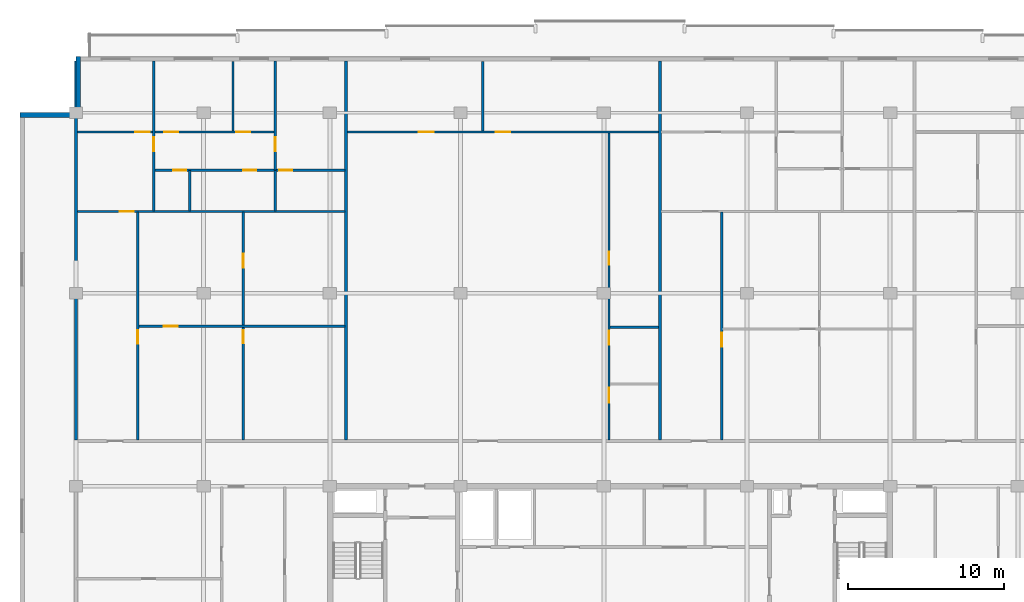
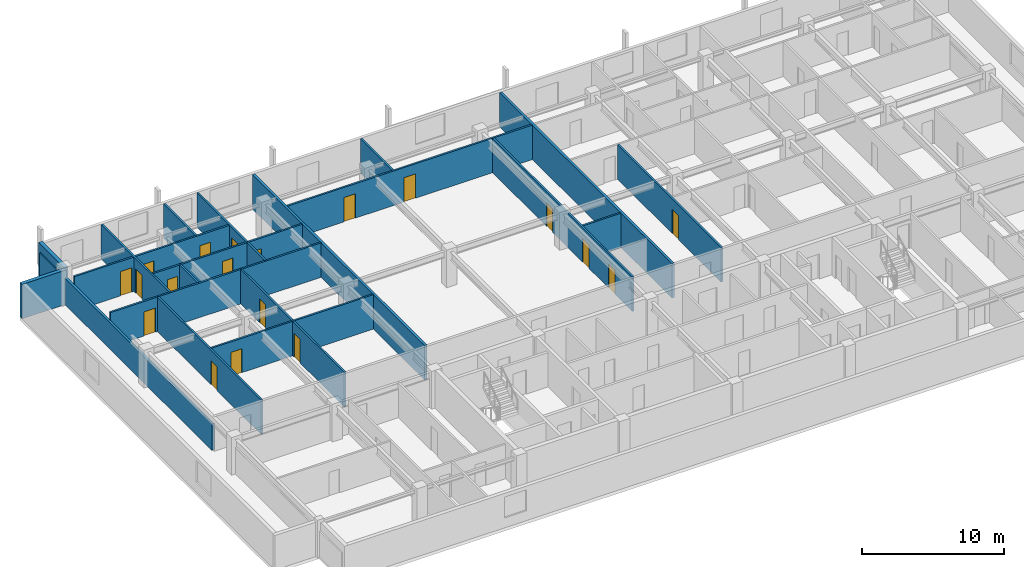
# One storey, part 7 of 11: 21 walls, 19 doors, 19 openings.
"""IFC4 building model written with IfcOpenShell, lengths in metres."""

from ifc_helpers import new_model, si_unit, direction, frame, frame_2d, origin, place, context, subcontext, project, spatial, rectangle, extrude, material, layer, layer_set, type_object, element, fill, save


model = new_model("IFC4")

# Units and contexts
model_context = context("Model", 3, precision=1e-05, world=origin(), true_north=direction((0.0, 1.0)))
body_context = subcontext(model_context, "Body", "Model", "MODEL_VIEW")
ifc_project = project(units=[si_unit("LENGTHUNIT", "METRE"), si_unit("AREAUNIT", "SQUARE_METRE"), si_unit("VOLUMEUNIT", "CUBIC_METRE"), si_unit("PLANEANGLEUNIT", "RADIAN"), si_unit("MASSUNIT", "GRAM", prefix="KILO")], contexts=[model_context])

# Site, building, storey
site_placement = place(None, origin())
site = spatial("IfcSite", under=ifc_project, at=site_placement, CompositionType="ELEMENT")
building_placement = place(site_placement, origin())
building = spatial("IfcBuilding", under=site, at=building_placement, Name="Korimba Cascade Residences", CompositionType="ELEMENT")
storey_placement = place(building_placement, frame((0.0, 0.0, 217.35009765625)))
storey = spatial("IfcBuildingStorey", under=building, at=storey_placement, Name="L63", CompositionType="ELEMENT", Elevation=217.35009765625)

# Walls
ifc_material_1 = material(Name="Precast concrete C40/50", Category="concrete")
ifc_layer_1 = layer(ifc_material_1, 0.300048828125)
ifc_layer_set_1 = layer_set([ifc_layer_1], Name="Precast concrete C40/50")
wall_type_1 = type_object("IfcWallType", Name="EW-STONE-300", PredefinedType="STANDARD", material=ifc_layer_set_1)
for number, where, z_axis, x_axis, name in (
    (1, (59.949951171875, 94.800048828125, 0.0), (0.0, 0.0, 1.0), (0.0, -1.0, 0.0), "L63 T1 Perimeter Stone Wall E07"),
    (2, (59.800048828125, 91.050048828125, 0.0), (0.0, 0.0, 1.0), (-1.0, 0.0, 0.0), "L63 T1 Perimeter Stone Wall E08"),
):
    element("IfcWall", number, at=place(storey_placement, frame(where, z_axis=z_axis, x_axis=x_axis)), inside=storey, type_object=wall_type_1, Name=name, PredefinedType="STANDARD", context=body_context, shape_type="SweptSolid", body=[
        extrude(rectangle(XDim=3.60009765625, YDim=0.300048828125, at=frame_2d((1.800048828125, 0.0))), origin(), (0.0, 0.0, 1.0), 2.969970703125),
    ])
ifc_layer_2 = layer(ifc_material_1, 0.199951171875)
ifc_layer_set_2 = layer_set([ifc_layer_2], Name="Precast concrete C40/50")
wall_type_2 = type_object("IfcWallType", Name="WAL-IT-200", PredefinedType="PARTITIONING", material=ifc_layer_set_2)
wall_1_placement = place(storey_placement, frame((59.800048828125, 70.179931640625, 0.0), z_axis=(0.0, 0.0, 1.0), x_axis=(0.0, 1.0, 0.0)))
element("IfcWall", 3, at=wall_1_placement, inside=storey, type_object=wall_type_2, Name="L63 Partition Wall WAL-L63-T1-BNDWL", PredefinedType="PARTITIONING", context=body_context, shape_type="SweptSolid", body=[
    extrude(rectangle(XDim=24.320068359375, YDim=0.199951171875, at=frame_2d((12.16015625, 0.0))), origin(), (0.0, 0.0, 1.0), 2.277099609375),
])
for number, where, z_axis, x_axis, name in (
    (4, (77.145751953125, 70.179931640625, 0.0), (0.0, 0.0, 1.0), (0.0, 1.0, 0.0), "L63 Partition Wall WAL-L63-T1-DEM-1"),
    (5, (97.3046875, 70.179931640625, 0.0), (0.0, 0.0, 1.0), (0.0, 1.0, 0.0), "L63 Partition Wall WAL-L63-T1-DEM-2"),
):
    element("IfcWall", number, at=place(storey_placement, frame(where, z_axis=z_axis, x_axis=x_axis)), inside=storey, type_object=wall_type_2, Name=name, PredefinedType="PARTITIONING", context=body_context, shape_type="SweptSolid", body=[
        extrude(rectangle(XDim=24.320068359375, YDim=0.199951171875, at=frame_2d((12.16015625, 0.0))), origin(), (0.0, 0.0, 1.0), 2.969970703125),
    ])

# Wall, openings, doors
ifc_material_2 = material(Name="Insulated Acoustic Stud Partition", Category="gypsum")
ifc_layer_3 = layer(ifc_material_2, 0.14990234375)
ifc_layer_set_3 = layer_set([ifc_layer_3], Name="Insulated Acoustic Stud Partition")
wall_type_3 = type_object("IfcWallType", Name="WAL-PART-150", PredefinedType="PARTITIONING", material=ifc_layer_set_3)
wall_2_placement = place(storey_placement, frame((70.5478515625, 70.159912109375, 0.0), z_axis=(0.0, 0.0, 1.0), x_axis=(0.0, 1.0, 0.0)))
wall_2 = element("IfcWall", 6, at=wall_2_placement, inside=storey, type_object=wall_type_3, Name="L63 Partition Wall WAL-L63-T1-U01-FMV", PredefinedType="PARTITIONING", context=body_context, shape_type="SweptSolid", body=[
    extrude(rectangle(XDim=14.650146484375, YDim=0.14990234375, at=frame_2d((7.3251953125, 0.0))), origin(), (0.0, 0.0, 1.0), 2.969970703125),
])
opening_1_placement = place(wall_2_placement, frame((6.235107421875, 0.0, 0.0)))
opening_1 = element("IfcOpeningElement", 7, at=opening_1_placement, cuts=wall_2, Name="Opening D-BT1", PredefinedType="OPENING", context=body_context, shape_type="SweptSolid", body=[
    extrude(rectangle(XDim=0.840087890625, YDim=2.0400390625, at=frame_2d((0.419921875, 1.02001953125))), frame((0.0, 0.0849609375, 0.0), z_axis=(0.0, -1.0, 0.0), x_axis=(1.0, 0.0, 0.0)), (0.0, 0.0, 1.0), 0.169921875),
])
opening_2_placement = place(wall_2_placement, frame((11.08203125, 0.0, 0.0)))
opening_2 = element("IfcOpeningElement", 8, at=opening_2_placement, cuts=wall_2, Name="Opening D-IN2", PredefinedType="OPENING", context=body_context, shape_type="SweptSolid", body=[
    extrude(rectangle(XDim=0.8798828125, YDim=2.06005859375, at=frame_2d((0.43994140625, 1.030029296875))), frame((0.0, 0.0849609375, 0.0), z_axis=(0.0, -1.0, 0.0), x_axis=(1.0, 0.0, 0.0)), (0.0, 0.0, 1.0), 0.169921875),
])
ifc_material_3 = material(Name="Moisture-Resistant Bathroom Timber Door", Category="wood")
door_type_1 = type_object("IfcDoorType", Name="DR-INT-850", OperationType="NOTDEFINED", PredefinedType="DOOR", material=ifc_material_3)
door_1_placement = place(opening_1_placement, origin())
door_1 = element("IfcDoor", 9, at=door_1_placement, inside=storey, type_object=door_type_1, Name="L63-T1-U01 Wardrobe Door", OperationType="SINGLE_SWING_RIGHT", OverallHeight=2.0400390625, OverallWidth=0.840087890625, PredefinedType="DOOR", context=body_context, shape_type="SweptSolid", body=[
    extrude(rectangle(XDim=0.840087890625, YDim=2.0400390625, at=frame_2d((0.419921875, 1.02001953125))), frame((0.0, 0.02490234375, 0.0), z_axis=(0.0, -1.0, 0.0), x_axis=(1.0, 0.0, 0.0)), (0.0, 0.0, 1.0), 0.050048828125),
])
fill(opening_1, door_1)
ifc_material_4 = material(Name="Acoustic Timber Bedroom Door", Category="wood")
door_type_2 = type_object("IfcDoorType", Name="DR-INT-880", OperationType="NOTDEFINED", PredefinedType="DOOR", material=ifc_material_4)
door_2_placement = place(opening_2_placement, origin())
door_2 = element("IfcDoor", 10, at=door_2_placement, inside=storey, type_object=door_type_2, Name="L63-T1-U01 Music Lounge Door", OperationType="SINGLE_SWING_LEFT", OverallHeight=2.06005859375, OverallWidth=0.8798828125, PredefinedType="DOOR", context=body_context, shape_type="SweptSolid", body=[
    extrude(rectangle(XDim=0.8798828125, YDim=2.06005859375, at=frame_2d((0.43994140625, 1.030029296875))), frame((0.0, 0.02490234375, 0.0), z_axis=(0.0, -1.0, 0.0), x_axis=(1.0, 0.0, 0.0)), (0.0, 0.0, 1.0), 0.050048828125),
])
fill(opening_2, door_2)

# Wall, opening, door
wall_3_placement = place(storey_placement, frame((63.830078125, 77.485107421875, 0.0), z_axis=(0.0, 0.0, 1.0), x_axis=(1.0, 0.0, 0.0)))
wall_3 = element("IfcWall", 11, at=wall_3_placement, inside=storey, type_object=wall_type_3, Name="L63 Partition Wall WAL-L63-T1-U01-FMH", PredefinedType="PARTITIONING", context=body_context, shape_type="SweptSolid", body=[
    extrude(rectangle(XDim=13.235595703125, YDim=0.14990234375, at=frame_2d((6.61767578125, 0.0))), origin(), (0.0, 0.0, 1.0), 2.969970703125),
])
opening_3_placement = place(wall_3_placement, frame((1.6142578125, 0.0, 0.0)))
opening_3 = element("IfcOpeningElement", 12, at=opening_3_placement, cuts=wall_3, Name="Opening D-IN2", PredefinedType="OPENING", context=body_context, shape_type="SweptSolid", body=[
    extrude(rectangle(XDim=0.8798828125, YDim=2.06005859375, at=frame_2d((0.43994140625, 1.030029296875))), frame((0.0, 0.0849609375, 0.0), z_axis=(0.0, -1.0, 0.0), x_axis=(1.0, 0.0, 0.0)), (0.0, 0.0, 1.0), 0.169921875),
])
door_3_placement = place(opening_3_placement, origin())
door_3 = element("IfcDoor", 13, at=door_3_placement, inside=storey, type_object=door_type_2, Name="L63-T1-U01 Library Salon Door", OperationType="SINGLE_SWING_RIGHT", OverallHeight=2.06005859375, OverallWidth=0.8798828125, PredefinedType="DOOR", context=body_context, shape_type="SweptSolid", body=[
    extrude(rectangle(XDim=0.8798828125, YDim=2.06005859375, at=frame_2d((0.43994140625, 1.030029296875))), frame((0.0, 0.02490234375, 0.0), z_axis=(0.0, -1.0, 0.0), x_axis=(1.0, 0.0, 0.0)), (0.0, 0.0, 1.0), 0.050048828125),
])
fill(opening_3, door_3)

wall_4_placement = place(storey_placement, frame((63.77001953125, 70.159912109375, 0.0), z_axis=(0.0, 0.0, 1.0), x_axis=(0.0, 1.0, 0.0)))
wall_4 = element("IfcWall", 14, at=wall_4_placement, inside=storey, type_object=wall_type_3, Name="L63 Partition Wall WAL-L63-T1-U01-FV", PredefinedType="PARTITIONING", context=body_context, shape_type="SweptSolid", body=[
    extrude(rectangle(XDim=14.650146484375, YDim=0.14990234375, at=frame_2d((7.3251953125, 0.0))), origin(), (0.0, 0.0, 1.0), 2.969970703125),
])
opening_4_placement = place(wall_4_placement, frame((6.195068359375, 0.0, 0.0)))
opening_4 = element("IfcOpeningElement", 15, at=opening_4_placement, cuts=wall_4, Name="Opening D-IN2", PredefinedType="OPENING", context=body_context, shape_type="SweptSolid", body=[
    extrude(rectangle(XDim=0.8798828125, YDim=2.06005859375, at=frame_2d((0.43994140625, 1.030029296875))), frame((0.0, 0.0849609375, 0.0), z_axis=(0.0, -1.0, 0.0), x_axis=(1.0, 0.0, 0.0)), (0.0, 0.0, 1.0), 0.169921875),
])
door_4_placement = place(opening_4_placement, origin())
door_4 = element("IfcDoor", 16, at=door_4_placement, inside=storey, type_object=door_type_2, Name="L63-T1-U01 Media Lounge Door", OperationType="SINGLE_SWING_LEFT", OverallHeight=2.06005859375, OverallWidth=0.8798828125, PredefinedType="DOOR", context=body_context, shape_type="SweptSolid", body=[
    extrude(rectangle(XDim=0.8798828125, YDim=2.06005859375, at=frame_2d((0.43994140625, 1.030029296875))), frame((0.0, 0.02490234375, 0.0), z_axis=(0.0, -1.0, 0.0), x_axis=(1.0, 0.0, 0.0)), (0.0, 0.0, 1.0), 0.050048828125),
])
fill(opening_4, door_4)

# Walls
wall_5_placement = place(storey_placement, frame((67.110107421875, 84.889892578125, 0.0), z_axis=(0.0, 0.0, 1.0), x_axis=(0.0, 1.0, 0.0)))
element("IfcWall", 17, at=wall_5_placement, inside=storey, type_object=wall_type_3, Name="L63 Partition Wall WAL-L63-T1-U01-VDRS", PredefinedType="PARTITIONING", context=body_context, shape_type="SweptSolid", body=[
    extrude(rectangle(XDim=2.580078125, YDim=0.14990234375, at=frame_2d((1.2900390625, 0.0))), origin(), (0.0, 0.0, 1.0), 2.969970703125),
])
wall_6_placement = place(storey_placement, frame((69.8798828125, 90.030029296875, 0.0), z_axis=(0.0, 0.0, 1.0), x_axis=(0.0, 1.0, 0.0)))
element("IfcWall", 18, at=wall_6_placement, inside=storey, type_object=wall_type_3, Name="L63 Partition Wall WAL-L63-T1-U01-VSTD", PredefinedType="PARTITIONING", context=body_context, shape_type="SweptSolid", body=[
    extrude(rectangle(XDim=4.469970703125, YDim=0.14990234375, at=frame_2d((2.23486328125, 0.0))), origin(), (0.0, 0.0, 1.0), 2.969970703125),
])

# Wall, opening, door
wall_7_placement = place(storey_placement, frame((64.800048828125, 84.889892578125, 0.0), z_axis=(0.0, 0.0, 1.0), x_axis=(0.0, 1.0, 0.0)))
wall_7 = element("IfcWall", 19, at=wall_7_placement, inside=storey, type_object=wall_type_3, Name="L63 Partition Wall WAL-L63-T1-U01-V1", PredefinedType="PARTITIONING", context=body_context, shape_type="SweptSolid", body=[
    extrude(rectangle(XDim=9.610107421875, YDim=0.14990234375, at=frame_2d((4.80517578125, 0.0))), origin(), (0.0, 0.0, 1.0), 2.969970703125),
])
opening_5_placement = place(wall_7_placement, frame((3.820068359375, 0.0, 0.0)))
opening_5 = element("IfcOpeningElement", 20, at=opening_5_placement, cuts=wall_7, Name="Opening D-IN1", PredefinedType="OPENING", context=body_context, shape_type="SweptSolid", body=[
    extrude(rectangle(XDim=0.919921875, YDim=2.080078125, at=frame_2d((0.4599609375, 1.0400390625))), frame((0.0, 0.0849609375, 0.0), z_axis=(0.0, -1.0, 0.0), x_axis=(1.0, 0.0, 0.0)), (0.0, 0.0, 1.0), 0.169921875),
])
ifc_material_5 = material(Name="Acoustic Timber Living Door", Category="wood")
door_type_3 = type_object("IfcDoorType", Name="DR-INT-920", OperationType="NOTDEFINED", PredefinedType="DOOR", material=ifc_material_5)
door_5_placement = place(opening_5_placement, origin())
door_5 = element("IfcDoor", 21, at=door_5_placement, inside=storey, type_object=door_type_3, Name="L63-T1-U01 Hallway Door", OperationType="SINGLE_SWING_RIGHT", OverallHeight=2.080078125, OverallWidth=0.919921875, PredefinedType="DOOR", context=body_context, shape_type="SweptSolid", body=[
    extrude(rectangle(XDim=0.919921875, YDim=2.080078125, at=frame_2d((0.4599609375, 1.0400390625))), frame((0.0, 0.02490234375, 0.0), z_axis=(0.0, -1.0, 0.0), x_axis=(1.0, 0.0, 0.0)), (0.0, 0.0, 1.0), 0.050048828125),
])
fill(opening_5, door_5)

# Wall
wall_8_placement = place(storey_placement, frame((72.595703125, 84.889892578125, 0.0), z_axis=(0.0, 0.0, 1.0), x_axis=(0.0, 1.0, 0.0)))
element("IfcWall", 22, at=wall_8_placement, inside=storey, type_object=wall_type_3, Name="L63 Partition Wall WAL-L63-T1-U01-VBATH", PredefinedType="PARTITIONING", context=body_context, shape_type="SweptSolid", body=[
    extrude(rectangle(XDim=2.580078125, YDim=0.14990234375, at=frame_2d((1.2900390625, 0.0))), origin(), (0.0, 0.0, 1.0), 2.969970703125),
])

# Wall, opening, door
wall_9_placement = place(storey_placement, frame((72.595703125, 87.510009765625, 0.0), z_axis=(0.0, 0.0, 1.0), x_axis=(0.0, 1.0, 0.0)))
wall_9 = element("IfcWall", 23, at=wall_9_placement, inside=storey, type_object=wall_type_3, Name="L63 Partition Wall WAL-L63-T1-U01-V2FULL", PredefinedType="PARTITIONING", context=body_context, shape_type="SweptSolid", body=[
    extrude(rectangle(XDim=6.989990234375, YDim=0.14990234375, at=frame_2d((3.4951171875, 0.0))), origin(), (0.0, 0.0, 1.0), 2.969970703125),
])
opening_6_placement = place(wall_9_placement, frame((1.199951171875, 0.0, 0.0)))
opening_6 = element("IfcOpeningElement", 24, at=opening_6_placement, cuts=wall_9, Name="Opening D-IN1", PredefinedType="OPENING", context=body_context, shape_type="SweptSolid", body=[
    extrude(rectangle(XDim=0.919921875, YDim=2.080078125, at=frame_2d((0.4599609375, 1.0400390625))), frame((0.0, 0.0849609375, 0.0), z_axis=(0.0, -1.0, 0.0), x_axis=(1.0, 0.0, 0.0)), (0.0, 0.0, 1.0), 0.169921875),
])
door_6_placement = place(opening_6_placement, origin())
door_6 = element("IfcDoor", 25, at=door_6_placement, inside=storey, type_object=door_type_3, Name="L63-T1-U01 Master Bedroom Door", OperationType="SINGLE_SWING_LEFT", OverallHeight=2.080078125, OverallWidth=0.919921875, PredefinedType="DOOR", context=body_context, shape_type="SweptSolid", body=[
    extrude(rectangle(XDim=0.919921875, YDim=2.080078125, at=frame_2d((0.4599609375, 1.0400390625))), frame((0.0, 0.02490234375, 0.0), z_axis=(0.0, -1.0, 0.0), x_axis=(1.0, 0.0, 0.0)), (0.0, 0.0, 1.0), 0.050048828125),
])
fill(opening_6, door_6)

# Wall, openings, doors
wall_10_placement = place(storey_placement, frame((64.840087890625, 87.489990234375, 0.0), z_axis=(0.0, 0.0, 1.0), x_axis=(1.0, 0.0, 0.0)))
wall_10 = element("IfcWall", 26, at=wall_10_placement, inside=storey, type_object=wall_type_3, Name="L63 Partition Wall WAL-L63-T1-U01-HWALL", PredefinedType="PARTITIONING", context=body_context, shape_type="SweptSolid", body=[
    extrude(rectangle(XDim=12.2255859375, YDim=0.14990234375, at=frame_2d((6.11279296875, 0.0))), origin(), (0.0, 0.0, 1.0), 2.969970703125),
])
opening_7_placement = place(wall_10_placement, frame((1.19091796875, 0.0, 0.0)))
opening_7 = element("IfcOpeningElement", 27, at=opening_7_placement, cuts=wall_10, Name="Opening D-BT1", PredefinedType="OPENING", context=body_context, shape_type="SweptSolid", body=[
    extrude(rectangle(XDim=0.840087890625, YDim=2.0400390625, at=frame_2d((0.419921875, 1.02001953125))), frame((0.0, 0.0849609375, 0.0), z_axis=(0.0, -1.0, 0.0), x_axis=(1.0, 0.0, 0.0)), (0.0, 0.0, 1.0), 0.169921875),
])
opening_8_placement = place(wall_10_placement, frame((5.69287109375, 0.0, 0.0)))
opening_8 = element("IfcOpeningElement", 28, at=opening_8_placement, cuts=wall_10, Name="Opening D-BT1", PredefinedType="OPENING", context=body_context, shape_type="SweptSolid", body=[
    extrude(rectangle(XDim=0.840087890625, YDim=2.0400390625, at=frame_2d((0.419921875, 1.02001953125))), frame((0.0, 0.0849609375, 0.0), z_axis=(0.0, -1.0, 0.0), x_axis=(1.0, 0.0, 0.0)), (0.0, 0.0, 1.0), 0.169921875),
])
opening_9_placement = place(wall_10_placement, frame((8.005615234375, 0.0, 0.0)))
opening_9 = element("IfcOpeningElement", 29, at=opening_9_placement, cuts=wall_10, Name="Opening D-BT1", PredefinedType="OPENING", context=body_context, shape_type="SweptSolid", body=[
    extrude(rectangle(XDim=0.840087890625, YDim=2.0400390625, at=frame_2d((0.419921875, 1.02001953125))), frame((0.0, 0.0849609375, 0.0), z_axis=(0.0, -1.0, 0.0), x_axis=(1.0, 0.0, 0.0)), (0.0, 0.0, 1.0), 0.169921875),
])
door_7_placement = place(opening_7_placement, origin())
door_7 = element("IfcDoor", 30, at=door_7_placement, inside=storey, type_object=door_type_1, Name="L63-T1-U01 Family Bathroom Door", OperationType="SINGLE_SWING_RIGHT", OverallHeight=2.0400390625, OverallWidth=0.840087890625, PredefinedType="DOOR", context=body_context, shape_type="SweptSolid", body=[
    extrude(rectangle(XDim=0.840087890625, YDim=2.0400390625, at=frame_2d((0.419921875, 1.02001953125))), frame((0.0, 0.02490234375, 0.0), z_axis=(0.0, -1.0, 0.0), x_axis=(1.0, 0.0, 0.0)), (0.0, 0.0, 1.0), 0.050048828125),
])
fill(opening_7, door_7)
door_8_placement = place(opening_8_placement, origin())
door_8 = element("IfcDoor", 31, at=door_8_placement, inside=storey, type_object=door_type_1, Name="L63-T1-U01 Dressing Room Door", OperationType="SINGLE_SWING_LEFT", OverallHeight=2.0400390625, OverallWidth=0.840087890625, PredefinedType="DOOR", context=body_context, shape_type="SweptSolid", body=[
    extrude(rectangle(XDim=0.840087890625, YDim=2.0400390625, at=frame_2d((0.419921875, 1.02001953125))), frame((0.0, 0.02490234375, 0.0), z_axis=(0.0, -1.0, 0.0), x_axis=(1.0, 0.0, 0.0)), (0.0, 0.0, 1.0), 0.050048828125),
])
fill(opening_8, door_8)
door_9_placement = place(opening_9_placement, origin())
door_9 = element("IfcDoor", 32, at=door_9_placement, inside=storey, type_object=door_type_1, Name="L63-T1-U01 En-Suite Door", OperationType="SINGLE_SWING_RIGHT", OverallHeight=2.0400390625, OverallWidth=0.840087890625, PredefinedType="DOOR", context=body_context, shape_type="SweptSolid", body=[
    extrude(rectangle(XDim=0.840087890625, YDim=2.0400390625, at=frame_2d((0.419921875, 1.02001953125))), frame((0.0, 0.02490234375, 0.0), z_axis=(0.0, -1.0, 0.0), x_axis=(1.0, 0.0, 0.0)), (0.0, 0.0, 1.0), 0.050048828125),
])
fill(opening_9, door_9)

# Wall, opening, door
wall_11_placement = place(storey_placement, frame((59.8798828125, 84.85009765625, 0.0), z_axis=(0.0, 0.0, 1.0), x_axis=(1.0, 0.0, 0.0)))
wall_11 = element("IfcWall", 33, at=wall_11_placement, inside=storey, type_object=wall_type_3, Name="L63 Partition Wall WAL-L63-T1-U01-MW", PredefinedType="PARTITIONING", context=body_context, shape_type="SweptSolid", body=[
    extrude(rectangle(XDim=17.185791015625, YDim=0.14990234375, at=frame_2d((8.5927734375, 0.0))), origin(), (0.0, 0.0, 1.0), 2.969970703125),
])
opening_10_placement = place(wall_11_placement, frame((2.719970703125, 0.0, 0.0)))
opening_10 = element("IfcOpeningElement", 34, at=opening_10_placement, cuts=wall_11, Name="Opening D-IN1", PredefinedType="OPENING", context=body_context, shape_type="SweptSolid", body=[
    extrude(rectangle(XDim=0.919921875, YDim=2.080078125, at=frame_2d((0.4599609375, 1.0400390625))), frame((0.0, 0.0849609375, 0.0), z_axis=(0.0, -1.0, 0.0), x_axis=(1.0, 0.0, 0.0)), (0.0, 0.0, 1.0), 0.169921875),
])
door_10_placement = place(opening_10_placement, origin())
door_10 = element("IfcDoor", 35, at=door_10_placement, inside=storey, type_object=door_type_3, Name="L63-T1-U01 Kitchen Door", OperationType="SINGLE_SWING_LEFT", OverallHeight=2.080078125, OverallWidth=0.919921875, PredefinedType="DOOR", context=body_context, shape_type="SweptSolid", body=[
    extrude(rectangle(XDim=0.919921875, YDim=2.080078125, at=frame_2d((0.4599609375, 1.0400390625))), frame((0.0, 0.02490234375, 0.0), z_axis=(0.0, -1.0, 0.0), x_axis=(1.0, 0.0, 0.0)), (0.0, 0.0, 1.0), 0.050048828125),
])
fill(opening_10, door_10)

# Wall, openings, doors
wall_12_placement = place(storey_placement, frame((59.8798828125, 89.949951171875, 0.0), z_axis=(0.0, 0.0, 1.0), x_axis=(1.0, 0.0, 0.0)))
wall_12 = element("IfcWall", 36, at=wall_12_placement, inside=storey, type_object=wall_type_3, Name="L63 Partition Wall WAL-L63-T1-U01-HZ", PredefinedType="PARTITIONING", context=body_context, shape_type="SweptSolid", body=[
    extrude(rectangle(XDim=12.7158203125, YDim=0.14990234375, at=frame_2d((6.35791015625, 0.0))), origin(), (0.0, 0.0, 1.0), 2.969970703125),
])
opening_11_placement = place(wall_12_placement, frame((3.72998046875, 0.0, 0.0)))
opening_11 = element("IfcOpeningElement", 37, at=opening_11_placement, cuts=wall_12, Name="Opening D-IN0", PredefinedType="OPENING", context=body_context, shape_type="SweptSolid", body=[
    extrude(rectangle(XDim=0.93994140625, YDim=2.10009765625, at=frame_2d((0.469970703125, 1.050048828125))), frame((0.0, 0.0849609375, 0.0), z_axis=(0.0, -1.0, 0.0), x_axis=(1.0, 0.0, 0.0)), (0.0, 0.0, 1.0), 0.169921875),
])
opening_12_placement = place(wall_12_placement, frame((5.59130859375, 0.0, 0.0)))
opening_12 = element("IfcOpeningElement", 38, at=opening_12_placement, cuts=wall_12, Name="Opening D-IN2", PredefinedType="OPENING", context=body_context, shape_type="SweptSolid", body=[
    extrude(rectangle(XDim=0.8798828125, YDim=2.06005859375, at=frame_2d((0.43994140625, 1.030029296875))), frame((0.0, 0.0849609375, 0.0), z_axis=(0.0, -1.0, 0.0), x_axis=(1.0, 0.0, 0.0)), (0.0, 0.0, 1.0), 0.169921875),
])
opening_13_placement = place(wall_12_placement, frame((10.219970703125, 0.0, 0.0)))
opening_13 = element("IfcOpeningElement", 39, at=opening_13_placement, cuts=wall_12, Name="Opening D-IN2", PredefinedType="OPENING", context=body_context, shape_type="SweptSolid", body=[
    extrude(rectangle(XDim=0.8798828125, YDim=2.06005859375, at=frame_2d((0.43994140625, 1.030029296875))), frame((0.0, 0.0849609375, 0.0), z_axis=(0.0, -1.0, 0.0), x_axis=(1.0, 0.0, 0.0)), (0.0, 0.0, 1.0), 0.169921875),
])
door_11_placement = place(opening_12_placement, origin())
door_11 = element("IfcDoor", 40, at=door_11_placement, inside=storey, type_object=door_type_2, Name="L63-T1-U01 Bedroom 2 Door", OperationType="SINGLE_SWING_LEFT", OverallHeight=2.06005859375, OverallWidth=0.8798828125, PredefinedType="DOOR", context=body_context, shape_type="SweptSolid", body=[
    extrude(rectangle(XDim=0.8798828125, YDim=2.06005859375, at=frame_2d((0.43994140625, 1.030029296875))), frame((0.0, 0.02490234375, 0.0), z_axis=(0.0, -1.0, 0.0), x_axis=(1.0, 0.0, 0.0)), (0.0, 0.0, 1.0), 0.050048828125),
])
fill(opening_12, door_11)
door_12_placement = place(opening_13_placement, origin())
door_12 = element("IfcDoor", 41, at=door_12_placement, inside=storey, type_object=door_type_2, Name="L63-T1-U01 Study Door", OperationType="SINGLE_SWING_RIGHT", OverallHeight=2.06005859375, OverallWidth=0.8798828125, PredefinedType="DOOR", context=body_context, shape_type="SweptSolid", body=[
    extrude(rectangle(XDim=0.8798828125, YDim=2.06005859375, at=frame_2d((0.43994140625, 1.030029296875))), frame((0.0, 0.02490234375, 0.0), z_axis=(0.0, -1.0, 0.0), x_axis=(1.0, 0.0, 0.0)), (0.0, 0.0, 1.0), 0.050048828125),
])
fill(opening_13, door_12)
ifc_material_6 = material(Name="Acoustic Timber Living Archway Door", Category="wood")
door_type_4 = type_object("IfcDoorType", Name="DR-INT-950", OperationType="NOTDEFINED", PredefinedType="DOOR", material=ifc_material_6)
door_13_placement = place(opening_11_placement, origin())
door_13 = element("IfcDoor", 42, at=door_13_placement, inside=storey, type_object=door_type_4, Name="L63-T1-U01 Living Room Door", OperationType="SINGLE_SWING_RIGHT", OverallHeight=2.10009765625, OverallWidth=0.93994140625, PredefinedType="DOOR", context=body_context, shape_type="SweptSolid", body=[
    extrude(rectangle(XDim=0.93994140625, YDim=2.10009765625, at=frame_2d((0.469970703125, 1.050048828125))), frame((0.0, 0.02490234375, 0.0), z_axis=(0.0, -1.0, 0.0), x_axis=(1.0, 0.0, 0.0)), (0.0, 0.0, 1.0), 0.050048828125),
])
fill(opening_11, door_13)

# Wall
wall_13_placement = place(storey_placement, frame((94.0947265625, 77.419921875, 0.0), z_axis=(0.0, 0.0, 1.0), x_axis=(1.0, 0.0, 0.0)))
element("IfcWall", 43, at=wall_13_placement, inside=storey, type_object=wall_type_3, Name="L63 Partition Wall WAL-L63-T1-U02-WCH2", PredefinedType="PARTITIONING", context=body_context, shape_type="SweptSolid", body=[
    extrude(rectangle(XDim=3.130126953125, YDim=0.14990234375, at=frame_2d((1.56494140625, 0.0))), origin(), (0.0, 0.0, 1.0), 2.969970703125),
])

# Wall, openings, doors
wall_14_placement = place(storey_placement, frame((94.034912109375, 70.159912109375, 0.0), z_axis=(0.0, 0.0, 1.0), x_axis=(0.0, 1.0, 0.0)))
wall_14 = element("IfcWall", 44, at=wall_14_placement, inside=storey, type_object=wall_type_3, Name="L63 Partition Wall WAL-L63-T1-U02-WCV", PredefinedType="PARTITIONING", context=body_context, shape_type="SweptSolid", body=[
    extrude(rectangle(XDim=19.72998046875, YDim=0.14990234375, at=frame_2d((9.864990234375, 0.0))), origin(), (0.0, 0.0, 1.0), 2.969970703125),
])
opening_14_placement = place(wall_14_placement, frame((2.406005859375, 0.0, 0.0)))
opening_14 = element("IfcOpeningElement", 45, at=opening_14_placement, cuts=wall_14, Name="Opening D-AC1", PredefinedType="OPENING", context=body_context, shape_type="SweptSolid", body=[
    extrude(rectangle(XDim=0.9599609375, YDim=2.10009765625, at=frame_2d((0.47998046875, 1.050048828125))), frame((0.0, 0.0849609375, 0.0), z_axis=(0.0, -1.0, 0.0), x_axis=(1.0, 0.0, 0.0)), (0.0, 0.0, 1.0), 0.169921875),
])
opening_15_placement = place(wall_14_placement, frame((6.132568359375, 0.0, 0.0)))
opening_15 = element("IfcOpeningElement", 46, at=opening_15_placement, cuts=wall_14, Name="Opening D-IN2", PredefinedType="OPENING", context=body_context, shape_type="SweptSolid", body=[
    extrude(rectangle(XDim=0.8798828125, YDim=2.06005859375, at=frame_2d((0.43994140625, 1.030029296875))), frame((0.0, 0.0849609375, 0.0), z_axis=(0.0, -1.0, 0.0), x_axis=(1.0, 0.0, 0.0)), (0.0, 0.0, 1.0), 0.169921875),
])
opening_16_placement = place(wall_14_placement, frame((11.2578125, 0.0, 0.0)))
opening_16 = element("IfcOpeningElement", 47, at=opening_16_placement, cuts=wall_14, Name="Opening D-BT1", PredefinedType="OPENING", context=body_context, shape_type="SweptSolid", body=[
    extrude(rectangle(XDim=0.840087890625, YDim=2.0400390625, at=frame_2d((0.419921875, 1.02001953125))), frame((0.0, 0.0849609375, 0.0), z_axis=(0.0, -1.0, 0.0), x_axis=(1.0, 0.0, 0.0)), (0.0, 0.0, 1.0), 0.169921875),
])
ifc_material_7 = material(Name="Accessible Acoustic Timber WC Door", Category="wood")
door_type_5 = type_object("IfcDoorType", Name="DR-ACC-950", OperationType="NOTDEFINED", PredefinedType="DOOR", material=ifc_material_7)
door_14_placement = place(opening_14_placement, origin())
door_14 = element("IfcDoor", 48, at=door_14_placement, inside=storey, type_object=door_type_5, Name="L63-T1-U02 Accessible WC Door", OperationType="SINGLE_SWING_LEFT", OverallHeight=2.10009765625, OverallWidth=0.9599609375, PredefinedType="DOOR", context=body_context, shape_type="SweptSolid", body=[
    extrude(rectangle(XDim=0.9599609375, YDim=2.10009765625, at=frame_2d((0.47998046875, 1.050048828125))), frame((0.0, 0.02490234375, 0.0), z_axis=(0.0, -1.0, 0.0), x_axis=(1.0, 0.0, 0.0)), (0.0, 0.0, 1.0), 0.050048828125),
])
fill(opening_14, door_14)
door_15_placement = place(opening_16_placement, origin())
door_15 = element("IfcDoor", 49, at=door_15_placement, inside=storey, type_object=door_type_1, Name="L63-T1-U02 Suite Store Door", OperationType="SINGLE_SWING_LEFT", OverallHeight=2.0400390625, OverallWidth=0.840087890625, PredefinedType="DOOR", context=body_context, shape_type="SweptSolid", body=[
    extrude(rectangle(XDim=0.840087890625, YDim=2.0400390625, at=frame_2d((0.419921875, 1.02001953125))), frame((0.0, 0.02490234375, 0.0), z_axis=(0.0, -1.0, 0.0), x_axis=(1.0, 0.0, 0.0)), (0.0, 0.0, 1.0), 0.050048828125),
])
fill(opening_16, door_15)
door_16_placement = place(opening_15_placement, origin())
door_16 = element("IfcDoor", 50, at=door_16_placement, inside=storey, type_object=door_type_2, Name="L63-T1-U02 Restroom WC Door", OperationType="SINGLE_SWING_RIGHT", OverallHeight=2.06005859375, OverallWidth=0.8798828125, PredefinedType="DOOR", context=body_context, shape_type="SweptSolid", body=[
    extrude(rectangle(XDim=0.8798828125, YDim=2.06005859375, at=frame_2d((0.43994140625, 1.030029296875))), frame((0.0, 0.02490234375, 0.0), z_axis=(0.0, -1.0, 0.0), x_axis=(1.0, 0.0, 0.0)), (0.0, 0.0, 1.0), 0.050048828125),
])
fill(opening_15, door_16)

# Wall
wall_15_placement = place(storey_placement, frame((85.920166015625, 90.030029296875, 0.0), z_axis=(0.0, 0.0, 1.0), x_axis=(0.0, 1.0, 0.0)))
element("IfcWall", 51, at=wall_15_placement, inside=storey, type_object=wall_type_3, Name="L63 Partition Wall WAL-L63-T1-U02-OUTV", PredefinedType="PARTITIONING", context=body_context, shape_type="SweptSolid", body=[
    extrude(rectangle(XDim=4.469970703125, YDim=0.14990234375, at=frame_2d((2.23486328125, 0.0))), origin(), (0.0, 0.0, 1.0), 2.969970703125),
])

# Wall, openings, doors
wall_16_placement = place(storey_placement, frame((77.2255859375, 89.949951171875, 0.0), z_axis=(0.0, 0.0, 1.0), x_axis=(1.0, 0.0, 0.0)))
wall_16 = element("IfcWall", 52, at=wall_16_placement, inside=storey, type_object=wall_type_3, Name="L63 Partition Wall WAL-L63-T1-U02-HZ", PredefinedType="PARTITIONING", context=body_context, shape_type="SweptSolid", body=[
    extrude(rectangle(XDim=19.999267578125, YDim=0.14990234375, at=frame_2d((9.99951171875, 0.0))), origin(), (0.0, 0.0, 1.0), 2.969970703125),
])
opening_17_placement = place(wall_16_placement, frame((4.602783203125, 0.0, 0.0)))
opening_17 = element("IfcOpeningElement", 53, at=opening_17_placement, cuts=wall_16, Name="Opening D-IN0", PredefinedType="OPENING", context=body_context, shape_type="SweptSolid", body=[
    extrude(rectangle(XDim=0.93994140625, YDim=2.10009765625, at=frame_2d((0.469970703125, 1.050048828125))), frame((0.0, 0.0849609375, 0.0), z_axis=(0.0, -1.0, 0.0), x_axis=(1.0, 0.0, 0.0)), (0.0, 0.0, 1.0), 0.169921875),
])
opening_18_placement = place(wall_16_placement, frame((9.529541015625, 0.0, 0.0)))
opening_18 = element("IfcOpeningElement", 54, at=opening_18_placement, cuts=wall_16, Name="Opening D-IN0", PredefinedType="OPENING", context=body_context, shape_type="SweptSolid", body=[
    extrude(rectangle(XDim=0.93994140625, YDim=2.10009765625, at=frame_2d((0.469970703125, 1.050048828125))), frame((0.0, 0.0849609375, 0.0), z_axis=(0.0, -1.0, 0.0), x_axis=(1.0, 0.0, 0.0)), (0.0, 0.0, 1.0), 0.169921875),
])
door_17_placement = place(opening_17_placement, origin())
door_17 = element("IfcDoor", 55, at=door_17_placement, inside=storey, type_object=door_type_4, Name="L63-T1-U02 Executive Co-Working Office Door", OperationType="SINGLE_SWING_RIGHT", OverallHeight=2.10009765625, OverallWidth=0.93994140625, PredefinedType="DOOR", context=body_context, shape_type="SweptSolid", body=[
    extrude(rectangle(XDim=0.93994140625, YDim=2.10009765625, at=frame_2d((0.469970703125, 1.050048828125))), frame((0.0, 0.02490234375, 0.0), z_axis=(0.0, -1.0, 0.0), x_axis=(1.0, 0.0, 0.0)), (0.0, 0.0, 1.0), 0.050048828125),
])
fill(opening_17, door_17)
door_18_placement = place(opening_18_placement, origin())
door_18 = element("IfcDoor", 56, at=door_18_placement, inside=storey, type_object=door_type_4, Name="L63-T1-U02 Focus Workstation Office Door", OperationType="SINGLE_SWING_LEFT", OverallHeight=2.10009765625, OverallWidth=0.93994140625, PredefinedType="DOOR", context=body_context, shape_type="SweptSolid", body=[
    extrude(rectangle(XDim=0.93994140625, YDim=2.10009765625, at=frame_2d((0.469970703125, 1.050048828125))), frame((0.0, 0.02490234375, 0.0), z_axis=(0.0, -1.0, 0.0), x_axis=(1.0, 0.0, 0.0)), (0.0, 0.0, 1.0), 0.050048828125),
])
fill(opening_18, door_18)

# Wall, opening, door
wall_17_placement = place(storey_placement, frame((101.27490234375, 70.159912109375, 0.0), z_axis=(0.0, 0.0, 1.0), x_axis=(0.0, 1.0, 0.0)))
wall_17 = element("IfcWall", 57, at=wall_17_placement, inside=storey, type_object=wall_type_3, Name="L63 Partition Wall WAL-L63-T1-U03-FV", PredefinedType="PARTITIONING", context=body_context, shape_type="SweptSolid", body=[
    extrude(rectangle(XDim=14.650146484375, YDim=0.14990234375, at=frame_2d((7.3251953125, 0.0))), origin(), (0.0, 0.0, 1.0), 2.969970703125),
])
opening_19_placement = place(wall_17_placement, frame((6.014892578125, 0.0, 0.0)))
opening_19 = element("IfcOpeningElement", 58, at=opening_19_placement, cuts=wall_17, Name="Opening D-IN2", PredefinedType="OPENING", context=body_context, shape_type="SweptSolid", body=[
    extrude(rectangle(XDim=0.8798828125, YDim=2.06005859375, at=frame_2d((0.43994140625, 1.030029296875))), frame((0.0, 0.0849609375, 0.0), z_axis=(0.0, -1.0, 0.0), x_axis=(1.0, 0.0, 0.0)), (0.0, 0.0, 1.0), 0.169921875),
])
door_19_placement = place(opening_19_placement, origin())
door_19 = element("IfcDoor", 59, at=door_19_placement, inside=storey, type_object=door_type_2, Name="L63-T1-U03 Media Lounge Door", OperationType="SINGLE_SWING_LEFT", OverallHeight=2.06005859375, OverallWidth=0.8798828125, PredefinedType="DOOR", context=body_context, shape_type="SweptSolid", body=[
    extrude(rectangle(XDim=0.8798828125, YDim=2.06005859375, at=frame_2d((0.43994140625, 1.030029296875))), frame((0.0, 0.02490234375, 0.0), z_axis=(0.0, -1.0, 0.0), x_axis=(1.0, 0.0, 0.0)), (0.0, 0.0, 1.0), 0.050048828125),
])
fill(opening_19, door_19)

save(model, "model.ifc")
